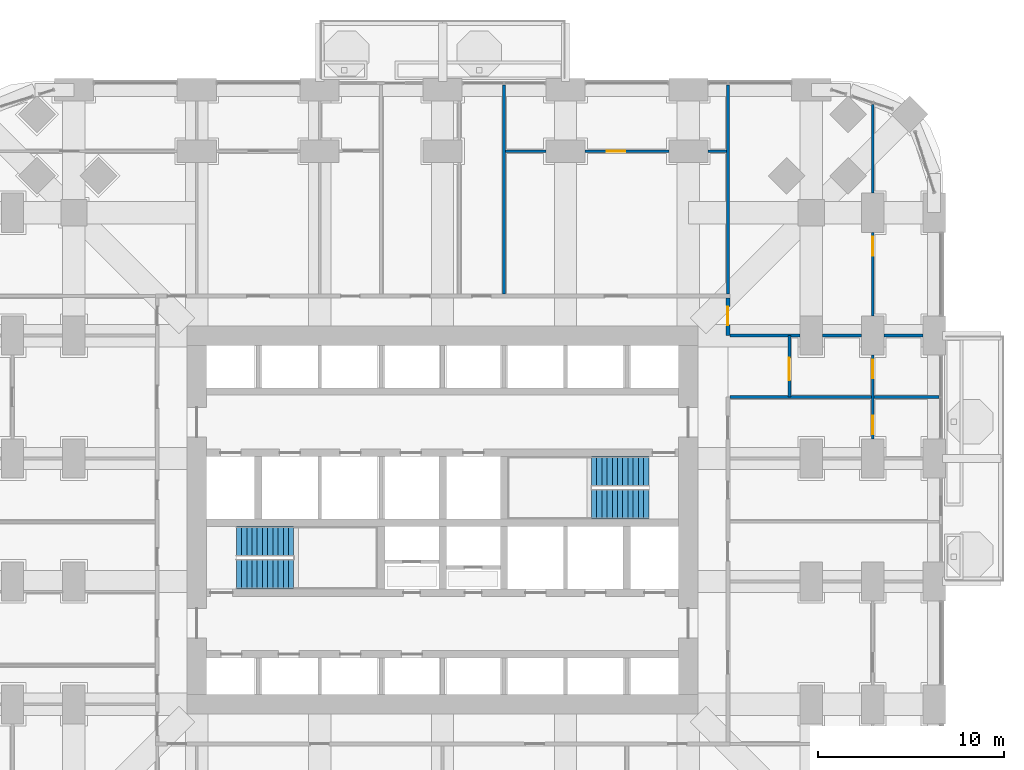
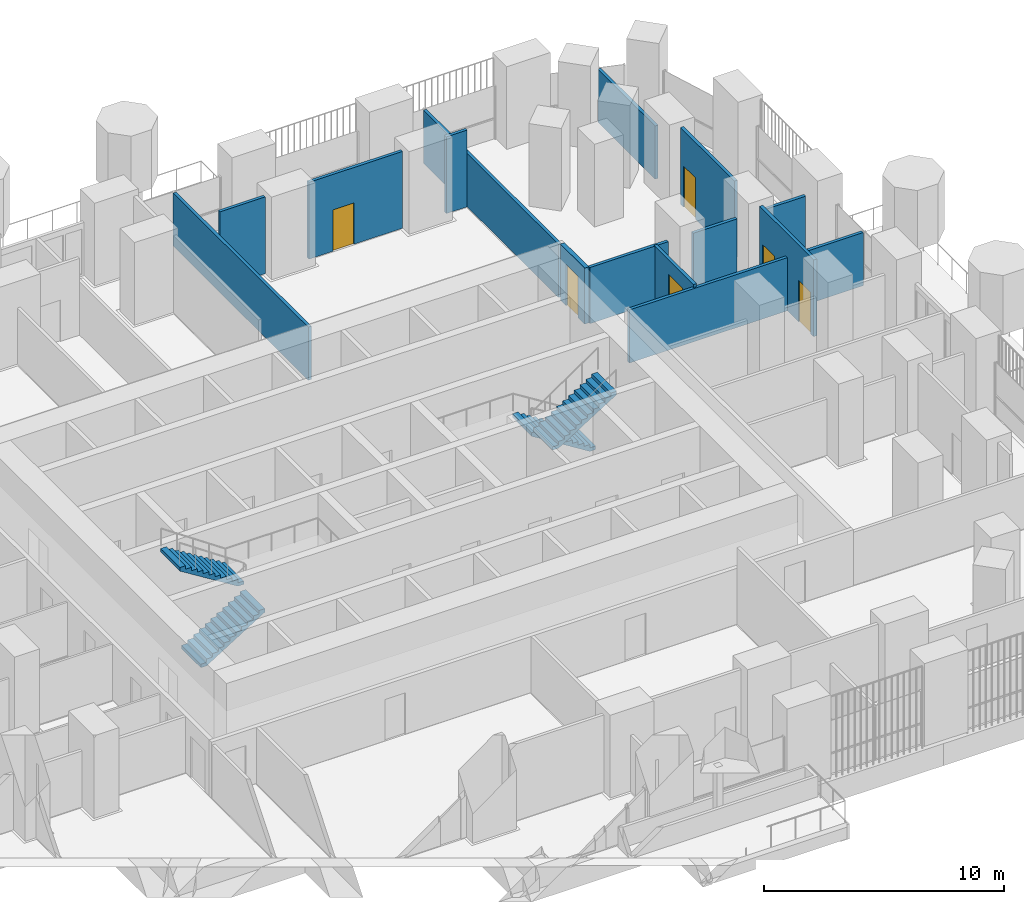
# One storey, part 21 of 26: 14 walls, 6 doors, 4 stair flights, 6 openings, 2 elements without a shape of their own.
"""IFC4 building model written with IfcOpenShell, lengths in metres."""

from ifc_helpers import new_model, si_unit, direction, frame, frame_2d, origin, place, context, subcontext, project, spatial, polyline, rectangle, outline, extrude, material, layer, layer_set, type_object, element, fill, aggregate, save


model = new_model("IFC4")

# Units and contexts
model_context = context("Model", 3, precision=1e-05, world=origin(), true_north=direction((0.0, 1.0)))
body_context = subcontext(model_context, "Body", "Model", "MODEL_VIEW")
ifc_project = project(units=[si_unit("LENGTHUNIT", "METRE"), si_unit("AREAUNIT", "SQUARE_METRE"), si_unit("VOLUMEUNIT", "CUBIC_METRE"), si_unit("PLANEANGLEUNIT", "RADIAN"), si_unit("MASSUNIT", "GRAM", prefix="KILO")], contexts=[model_context])

# Site, building, storey
site_placement = place(None, origin())
site = spatial("IfcSite", under=ifc_project, at=site_placement, CompositionType="ELEMENT")
building_placement = place(site_placement, origin())
building = spatial("IfcBuilding", under=site, at=building_placement, Name="Cobogo Forest Laboratory Tower", CompositionType="ELEMENT")
storey_placement = place(building_placement, frame((0.0, 0.0, 25.5)))
storey = spatial("IfcBuildingStorey", under=building, at=storey_placement, Name="L05", CompositionType="ELEMENT", Elevation=25.5)

# Wall
ifc_material_1 = material(Name="Gypsum board on steel studs", Category="steel")
ifc_layer_1 = layer(ifc_material_1, 0.14990234375)
ifc_layer_set_1 = layer_set([ifc_layer_1], Name="PT1 laboratory partition 150")
wall_type_1 = type_object("IfcWallType", Name="PT1 laboratory partition 150", PredefinedType="PARTITIONING", material=ifc_layer_set_1)
wall_1_placement = place(storey_placement, frame((41.72509765625, 46.469970703125, 0.0), z_axis=(0.0, 0.0, 1.0), x_axis=(0.0, -1.0, 0.0)))
element("IfcWall", 1, at=wall_1_placement, inside=storey, type_object=wall_type_1, Name="Partition PW-NE L05", PredefinedType="PARTITIONING", context=body_context, shape_type="SweptSolid", body=[
    extrude(rectangle(XDim=11.244873046875, YDim=0.14990234375, at=frame_2d((5.62255859375, 0.0))), origin(), (0.0, 0.0, 1.0), 2.699951171875),
])

# Wall, openings, doors
wall_2_placement = place(storey_placement, frame((49.5, 27.449951171875, 0.0), z_axis=(0.0, 0.0, 1.0), x_axis=(0.0, 1.0, 0.0)))
wall_2 = element("IfcWall", 2, at=wall_2_placement, inside=storey, type_object=wall_type_1, Name="Partition STRIP-E-3 L05", PredefinedType="PARTITIONING", context=body_context, shape_type="SweptSolid", body=[
    extrude(rectangle(XDim=4.5, YDim=0.14990234375, at=frame_2d((2.25, 0.0))), origin(), (0.0, 0.0, 1.0), 3.89990234375),
])
opening_1_placement = place(wall_2_placement, frame((0.25, 0.0, 0.0)))
opening_1 = element("IfcOpeningElement", 3, at=opening_1_placement, cuts=wall_2, Name="Opening L05-D30", PredefinedType="OPENING", context=body_context, shape_type="SweptSolid", body=[
    extrude(rectangle(XDim=1.0, YDim=2.10009765625, at=frame_2d((0.5, 1.050048828125))), frame((0.0, 0.0849609375, 0.0), z_axis=(0.0, -1.0, 0.0), x_axis=(1.0, 0.0, 0.0)), (0.0, 0.0, 1.0), 0.169921875),
])
opening_2_placement = place(wall_2_placement, frame((3.25, 0.0, 0.0)))
opening_2 = element("IfcOpeningElement", 4, at=opening_2_placement, cuts=wall_2, Name="Opening L05-D36", PredefinedType="OPENING", context=body_context, shape_type="SweptSolid", body=[
    extrude(rectangle(XDim=1.0, YDim=2.10009765625, at=frame_2d((0.5, 1.050048828125))), frame((0.0, 0.0849609375, 0.0), z_axis=(0.0, -1.0, 0.0), x_axis=(1.0, 0.0, 0.0)), (0.0, 0.0, 1.0), 0.169921875),
])
ifc_material_2 = material(Name="Timber fire door", Category="wood")
door_type_1 = type_object("IfcDoorType", Name="FD2 fire door 1000 EI2 30", OperationType="SINGLE_SWING_LEFT", PredefinedType="DOOR", material=ifc_material_2)
door_1_placement = place(opening_1_placement, origin())
door_1 = element("IfcDoor", 5, at=door_1_placement, inside=storey, type_object=door_type_1, Name="Door L05-E2W", OperationType="SINGLE_SWING_LEFT", OverallHeight=2.10009765625, OverallWidth=1.0, PredefinedType="DOOR", context=body_context, shape_type="SweptSolid", body=[
    extrude(rectangle(XDim=1.0, YDim=2.10009765625, at=frame_2d((0.5, 1.050048828125))), frame((0.0, 0.02490234375, 0.0), z_axis=(0.0, -1.0, 0.0), x_axis=(1.0, 0.0, 0.0)), (0.0, 0.0, 1.0), 0.050048828125),
])
fill(opening_1, door_1)
door_2_placement = place(opening_2_placement, origin())
door_2 = element("IfcDoor", 6, at=door_2_placement, inside=storey, type_object=door_type_1, Name="Door L05-E3W", OperationType="SINGLE_SWING_RIGHT", OverallHeight=2.10009765625, OverallWidth=1.0, PredefinedType="DOOR", context=body_context, shape_type="SweptSolid", body=[
    extrude(rectangle(XDim=1.0, YDim=2.10009765625, at=frame_2d((0.5, 1.050048828125))), frame((0.0, 0.02490234375, 0.0), z_axis=(0.0, -1.0, 0.0), x_axis=(1.0, 0.0, 0.0)), (0.0, 0.0, 1.0), 0.050048828125),
])
fill(opening_2, door_2)

# Wall, opening, door
wall_3_placement = place(storey_placement, frame((49.5, 34.050048828125, 0.0), z_axis=(0.0, 0.0, 1.0), x_axis=(0.0, 1.0, 0.0)))
wall_3 = element("IfcWall", 7, at=wall_3_placement, inside=storey, type_object=wall_type_1, Name="Partition STRIP-E-4 L05", PredefinedType="PARTITIONING", context=body_context, shape_type="SweptSolid", body=[
    extrude(rectangle(XDim=4.5, YDim=0.14990234375, at=frame_2d((2.25, 0.0))), origin(), (0.0, 0.0, 1.0), 3.89990234375),
])
opening_3_placement = place(wall_3_placement, frame((3.25, 0.0, 0.0)))
opening_3 = element("IfcOpeningElement", 8, at=opening_3_placement, cuts=wall_3, Name="Opening L05-D45", PredefinedType="OPENING", context=body_context, shape_type="SweptSolid", body=[
    extrude(rectangle(XDim=1.0, YDim=2.10009765625, at=frame_2d((0.5, 1.050048828125))), frame((0.0, 0.0849609375, 0.0), z_axis=(0.0, -1.0, 0.0), x_axis=(1.0, 0.0, 0.0)), (0.0, 0.0, 1.0), 0.169921875),
])
door_3_placement = place(opening_3_placement, origin())
door_3 = element("IfcDoor", 9, at=door_3_placement, inside=storey, type_object=door_type_1, Name="Door L05-E4W", OperationType="SINGLE_SWING_RIGHT", OverallHeight=2.10009765625, OverallWidth=1.0, PredefinedType="DOOR", context=body_context, shape_type="SweptSolid", body=[
    extrude(rectangle(XDim=1.0, YDim=2.10009765625, at=frame_2d((0.5, 1.050048828125))), frame((0.0, 0.02490234375, 0.0), z_axis=(0.0, -1.0, 0.0), x_axis=(1.0, 0.0, 0.0)), (0.0, 0.0, 1.0), 0.050048828125),
])
fill(opening_3, door_3)

# Wall
wall_4_placement = place(storey_placement, frame((49.5, 40.64990234375, 0.0), z_axis=(0.0, 0.0, 1.0), x_axis=(0.0, 1.0, 0.0)))
element("IfcWall", 10, at=wall_4_placement, inside=storey, type_object=wall_type_1, Name="Partition STRIP-E-5 L05", PredefinedType="PARTITIONING", context=body_context, shape_type="SweptSolid", body=[
    extrude(rectangle(XDim=4.774169921875, YDim=0.14990234375, at=frame_2d((2.38720703125, 0.0))), origin(), (0.0, 0.0, 1.0), 2.699951171875),
])

# Wall, opening, door
wall_5_placement = place(storey_placement, frame((45.02490234375, 29.699951171875, 0.0), z_axis=(0.0, 0.0, 1.0), x_axis=(0.0, 1.0, 0.0)))
wall_5 = element("IfcWall", 11, at=wall_5_placement, inside=storey, type_object=wall_type_1, Name="Partition NODE-E-1 L05", PredefinedType="PARTITIONING", context=body_context, shape_type="SweptSolid", body=[
    extrude(rectangle(XDim=3.300048828125, YDim=0.14990234375, at=frame_2d((1.64990234375, 0.0))), origin(), (0.0, 0.0, 1.0), 2.85009765625),
])
opening_4_placement = place(wall_5_placement, frame((0.89990234375, 0.0, 0.0)))
opening_4 = element("IfcOpeningElement", 12, at=opening_4_placement, cuts=wall_5, Name="Opening L05-D35", PredefinedType="OPENING", context=body_context, shape_type="SweptSolid", body=[
    extrude(rectangle(XDim=1.199951171875, YDim=2.10009765625, at=frame_2d((0.60009765625, 1.050048828125))), frame((0.0, 0.0849609375, 0.0), z_axis=(0.0, -1.0, 0.0), x_axis=(1.0, 0.0, 0.0)), (0.0, 0.0, 1.0), 0.169921875),
])
ifc_material_3 = material(Name="Timber door", Category="wood")
door_type_2 = type_object("IfcDoorType", Name="D2 laboratory door 1200 unequal pair", OperationType="DOUBLE_DOOR_SINGLE_SWING", PredefinedType="DOOR", material=ifc_material_3)
door_4_placement = place(opening_4_placement, origin())
door_4 = element("IfcDoor", 13, at=door_4_placement, inside=storey, type_object=door_type_2, Name="Door L05-E3", OperationType="DOUBLE_DOOR_SINGLE_SWING", OverallHeight=2.10009765625, OverallWidth=1.199951171875, PredefinedType="DOOR", context=body_context, shape_type="SweptSolid", body=[
    extrude(rectangle(XDim=1.199951171875, YDim=2.10009765625, at=frame_2d((0.60009765625, 1.050048828125))), frame((0.0, 0.02490234375, 0.0), z_axis=(0.0, -1.0, 0.0), x_axis=(1.0, 0.0, 0.0)), (0.0, 0.0, 1.0), 0.050048828125),
])
fill(opening_4, door_4)

# Walls
wall_6_placement = place(storey_placement, frame((53.070068359375, 29.699951171875, 0.0), z_axis=(0.0, 0.0, 1.0), x_axis=(-1.0, 0.0, 0.0)))
element("IfcWall", 14, at=wall_6_placement, inside=storey, type_object=wall_type_1, Name="Partition CUT-E29.7-1 L05", PredefinedType="PARTITIONING", context=body_context, shape_type="SweptSolid", body=[
    extrude(rectangle(XDim=11.2451171875, YDim=0.14990234375, at=frame_2d((5.62255859375, 0.0))), origin(), (0.0, 0.0, 1.0), 2.699951171875),
])
for number, where, z_axis, x_axis, name in (
    (15, (52.199951171875, 33.0, 0.0), (0.0, 0.0, 1.0), (-1.0, 0.0, 0.0), "Partition CUT-E33a-1 L05"),
    (16, (48.89990234375, 33.0, 0.0), (0.0, 0.0, 1.0), (-1.0, 0.0, 0.0), "Partition CUT-E33b-1 L05"),
):
    element("IfcWall", number, at=place(storey_placement, frame(where, z_axis=z_axis, x_axis=x_axis)), inside=storey, type_object=wall_type_1, Name=name, PredefinedType="PARTITIONING", context=body_context, shape_type="SweptSolid", body=[
        extrude(rectangle(XDim=2.099853515625, YDim=0.14990234375, at=frame_2d((1.0498046875, 0.0))), origin(), (0.0, 0.0, 1.0), 2.85009765625),
    ])
wall_7_placement = place(storey_placement, frame((45.60009765625, 33.0, 0.0), z_axis=(0.0, 0.0, 1.0), x_axis=(-1.0, 0.0, 0.0)))
element("IfcWall", 17, at=wall_7_placement, inside=storey, type_object=wall_type_1, Name="Partition CUT-E33b-2 L05", PredefinedType="PARTITIONING", context=body_context, shape_type="SweptSolid", body=[
    extrude(rectangle(XDim=3.775146484375, YDim=0.14990234375, at=frame_2d((1.8876953125, 0.0))), origin(), (0.0, 0.0, 1.0), 2.85009765625),
])
wall_8_placement = place(storey_placement, frame((41.64990234375, 42.89990234375, 0.0), z_axis=(0.0, 0.0, 1.0), x_axis=(-1.0, 0.0, 0.0)))
element("IfcWall", 18, at=wall_8_placement, inside=storey, type_object=wall_type_1, Name="Partition STRIP-N-1 L05", PredefinedType="PARTITIONING", context=body_context, shape_type="SweptSolid", body=[
    extrude(rectangle(XDim=1.0, YDim=0.14990234375, at=frame_2d((0.5, 0.0))), origin(), (0.0, 0.0, 1.0), 3.89990234375),
])

# Wall, opening, door
wall_9_placement = place(storey_placement, frame((38.550048828125, 42.89990234375, 0.0), z_axis=(0.0, 0.0, 1.0), x_axis=(-1.0, 0.0, 0.0)))
wall_9 = element("IfcWall", 19, at=wall_9_placement, inside=storey, type_object=wall_type_1, Name="Partition STRIP-N-2 L05", PredefinedType="PARTITIONING", context=body_context, shape_type="SweptSolid", body=[
    extrude(rectangle(XDim=4.5, YDim=0.14990234375, at=frame_2d((2.25, 0.0))), origin(), (0.0, 0.0, 1.0), 3.89990234375),
])
opening_5_placement = place(wall_9_placement, frame((2.33740234375, 0.0, 0.0)))
opening_5 = element("IfcOpeningElement", 20, at=opening_5_placement, cuts=wall_9, Name="Opening L05-D49", PredefinedType="OPENING", context=body_context, shape_type="SweptSolid", body=[
    extrude(rectangle(XDim=1.0, YDim=2.10009765625, at=frame_2d((0.5, 1.050048828125))), frame((0.0, 0.0849609375, 0.0), z_axis=(0.0, -1.0, 0.0), x_axis=(1.0, 0.0, 0.0)), (0.0, 0.0, 1.0), 0.169921875),
])
door_5_placement = place(opening_5_placement, origin())
door_5 = element("IfcDoor", 21, at=door_5_placement, inside=storey, type_object=door_type_1, Name="Door L05-N5W", OperationType="SINGLE_SWING_RIGHT", OverallHeight=2.10009765625, OverallWidth=1.0, PredefinedType="DOOR", context=body_context, shape_type="SweptSolid", body=[
    extrude(rectangle(XDim=1.0, YDim=2.10009765625, at=frame_2d((0.5, 1.050048828125))), frame((0.0, 0.02490234375, 0.0), z_axis=(0.0, -1.0, 0.0), x_axis=(1.0, 0.0, 0.0)), (0.0, 0.0, 1.0), 0.050048828125),
])
fill(opening_5, door_5)

# Walls
wall_10_placement = place(storey_placement, frame((31.949951171875, 42.89990234375, 0.0), z_axis=(0.0, 0.0, 1.0), x_axis=(-1.0, 0.0, 0.0)))
element("IfcWall", 22, at=wall_10_placement, inside=storey, type_object=wall_type_1, Name="Partition STRIP-N-3 L05", PredefinedType="PARTITIONING", context=body_context, shape_type="SweptSolid", body=[
    extrude(rectangle(XDim=2.175048828125, YDim=0.14990234375, at=frame_2d((1.08740234375, 0.0))), origin(), (0.0, 0.0, 1.0), 3.89990234375),
])
wall_11_placement = place(storey_placement, frame((29.699951171875, 46.469970703125, 0.0), z_axis=(0.0, 0.0, 1.0), x_axis=(0.0, -1.0, 0.0)))
element("IfcWall", 23, at=wall_11_placement, inside=storey, type_object=wall_type_1, Name="Partition CUT-N29.7-1 L05", PredefinedType="PARTITIONING", context=body_context, shape_type="SweptSolid", body=[
    extrude(rectangle(XDim=11.244873046875, YDim=0.14990234375, at=frame_2d((5.62255859375, 0.0))), origin(), (0.0, 0.0, 1.0), 2.699951171875),
])

# Wall, opening, door
ifc_layer_2 = layer(ifc_material_1, 0.199951171875)
ifc_layer_set_2 = layer_set([ifc_layer_2], Name="PT2 fire-rated corridor partition 200")
wall_type_2 = type_object("IfcWallType", Name="PT2 fire-rated corridor partition 200", PredefinedType="PARTITIONING", material=ifc_layer_set_2)
wall_12_placement = place(storey_placement, frame((41.72509765625, 33.0, 0.0), z_axis=(0.0, 0.0, 1.0), x_axis=(0.0, 1.0, 0.0)))
wall_12 = element("IfcWall", 24, at=wall_12_placement, inside=storey, type_object=wall_type_2, Name="Partition CORR-E-2 L05", PredefinedType="PARTITIONING", context=body_context, shape_type="SweptSolid", body=[
    extrude(rectangle(XDim=2.02490234375, YDim=0.199951171875, at=frame_2d((1.012451171875, 0.0))), origin(), (0.0, 0.0, 1.0), 2.85009765625),
])
opening_6_placement = place(wall_12_placement, frame((0.5625, 0.0, 0.0)))
opening_6 = element("IfcOpeningElement", 25, at=opening_6_placement, cuts=wall_12, Name="Opening L05-D38", PredefinedType="OPENING", context=body_context, shape_type="SweptSolid", body=[
    extrude(rectangle(XDim=1.0, YDim=2.10009765625, at=frame_2d((0.5, 1.050048828125))), frame((0.0, 0.10986328125, 0.0), z_axis=(0.0, -1.0, 0.0), x_axis=(1.0, 0.0, 0.0)), (0.0, 0.0, 1.0), 0.219970703125),
])
ifc_material_4 = material(Name="Steel fire door", Category="steel")
door_type_3 = type_object("IfcDoorType", Name="FD1 fire door 1000 EI2 60", OperationType="SINGLE_SWING_LEFT", PredefinedType="DOOR", material=ifc_material_4)
door_6_placement = place(opening_6_placement, origin())
door_6 = element("IfcDoor", 26, at=door_6_placement, inside=storey, type_object=door_type_3, Name="Door L05-E4", OperationType="SINGLE_SWING_RIGHT", OverallHeight=2.10009765625, OverallWidth=1.0, PredefinedType="DOOR", context=body_context, shape_type="SweptSolid", body=[
    extrude(rectangle(XDim=1.0, YDim=2.10009765625, at=frame_2d((0.5, 1.050048828125))), frame((0.0, 0.02490234375, 0.0), z_axis=(0.0, -1.0, 0.0), x_axis=(1.0, 0.0, 0.0)), (0.0, 0.0, 1.0), 0.050048828125),
])
fill(opening_6, door_6)

# Stair, stair flights
ifc_material_5 = material(Name="Precast concrete HA-40 (C40/50)", Category="concrete")
stair_type = type_object("IfcStairType", Name="ST24 exit stair 24 risers", PredefinedType="HALF_TURN_STAIR", material=ifc_material_5)
stair_1_placement = place(storey_placement, origin())
stair_1 = element("IfcStair", 27, at=stair_1_placement, inside=storey, type_object=stair_type, Name="Stair 1 L05 to L06", PredefinedType="HALF_TURN_STAIR")
stair_flight_type = type_object("IfcStairFlightType", Name="ST stair flight 280 going", PredefinedType="STRAIGHT", material=ifc_material_5)
stair_flight_1_placement = place(storey_placement, frame((15.324951171875, 20.199951171875, 0.0), z_axis=(0.0, 0.0, 1.0), x_axis=(1.0, 0.0, 0.0)))
stair_flight_1 = element("IfcStairFlight", 28, at=stair_flight_1_placement, type_object=stair_flight_type, Name="ST1 flight 1", NumberOfRisers=12, NumberOfTreads=11, PredefinedType="STRAIGHT", RiserHeight=0.175, TreadLength=0.28, context=body_context, shape_type="SweptSolid", body=[
    extrude(outline(polyline([(0.0, 0.0), (0.0, 0.175048828125), (0.280029296875, 0.175048828125), (0.280029296875, 0.35009765625), (0.56005859375, 0.35009765625), (0.56005859375, 0.52490234375), (0.840087890625, 0.52490234375), (0.840087890625, 0.699951171875), (1.1201171875, 0.699951171875), (1.1201171875, 0.875), (1.39990234375, 0.875), (1.39990234375, 1.050048828125), (1.679931640625, 1.050048828125), (1.679931640625, 1.22509765625), (1.9599609375, 1.22509765625), (1.9599609375, 1.39990234375), (2.239990234375, 1.39990234375), (2.239990234375, 1.574951171875), (2.52001953125, 1.574951171875), (2.52001953125, 1.75), (2.800048828125, 1.75), (2.800048828125, 1.925048828125), (3.080078125, 1.925048828125), (3.080078125, 2.10009765625), (3.080078125, 1.748291015625), (0.28271484375, 0.0), (0.0, 0.0)])), frame((0.0, 0.800048828125, 0.0), z_axis=(0.0, -1.0, 0.0), x_axis=(1.0, 0.0, 0.0)), (0.0, 0.0, 1.0), 1.60009765625),
])
stair_flight_2_placement = place(storey_placement, frame((18.405029296875, 21.949951171875, 2.10009765625), z_axis=(0.0, 0.0, 1.0), x_axis=(-1.0, 0.0, 0.0)))
stair_flight_2 = element("IfcStairFlight", 29, at=stair_flight_2_placement, type_object=stair_flight_type, Name="ST1 flight 2", NumberOfRisers=12, NumberOfTreads=11, PredefinedType="STRAIGHT", RiserHeight=0.175, TreadLength=0.28, context=body_context, shape_type="SweptSolid", body=[
    extrude(outline(polyline([(0.0, 0.0), (0.0, 0.175048828125), (0.280029296875, 0.175048828125), (0.280029296875, 0.35009765625), (0.56005859375, 0.35009765625), (0.56005859375, 0.52490234375), (0.840087890625, 0.52490234375), (0.840087890625, 0.699951171875), (1.1201171875, 0.699951171875), (1.1201171875, 0.875), (1.39990234375, 0.875), (1.39990234375, 1.050048828125), (1.679931640625, 1.050048828125), (1.679931640625, 1.22509765625), (1.9599609375, 1.22509765625), (1.9599609375, 1.39990234375), (2.239990234375, 1.39990234375), (2.239990234375, 1.574951171875), (2.52001953125, 1.574951171875), (2.52001953125, 1.75), (2.800048828125, 1.75), (2.800048828125, 1.925048828125), (3.080078125, 1.925048828125), (3.080078125, 2.10009765625), (3.080078125, 1.748291015625), (0.28271484375, 0.0), (0.0, 0.0)])), frame((0.0, 0.800048828125, 0.0), z_axis=(0.0, -1.0, 0.0), x_axis=(1.0, 0.0, 0.0)), (0.0, 0.0, 1.0), 1.60009765625),
])
aggregate(stair_1, [stair_flight_1, stair_flight_2])

stair_2_placement = place(storey_placement, origin())
stair_2 = element("IfcStair", 30, at=stair_2_placement, inside=storey, type_object=stair_type, Name="Stair 2 L05 to L06", PredefinedType="HALF_TURN_STAIR")
stair_flight_3_placement = place(storey_placement, frame((37.47509765625, 25.699951171875, 0.0), z_axis=(0.0, 0.0, 1.0), x_axis=(-1.0, 0.0, 0.0)))
stair_flight_3 = element("IfcStairFlight", 31, at=stair_flight_3_placement, type_object=stair_flight_type, Name="ST2 flight 1", NumberOfRisers=12, NumberOfTreads=11, PredefinedType="STRAIGHT", RiserHeight=0.175, TreadLength=0.28, context=body_context, shape_type="SweptSolid", body=[
    extrude(outline(polyline([(0.0, 0.0), (0.0, 0.175048828125), (0.280029296875, 0.175048828125), (0.280029296875, 0.35009765625), (0.56005859375, 0.35009765625), (0.56005859375, 0.52490234375), (0.840087890625, 0.52490234375), (0.840087890625, 0.699951171875), (1.1201171875, 0.699951171875), (1.1201171875, 0.875), (1.39990234375, 0.875), (1.39990234375, 1.050048828125), (1.679931640625, 1.050048828125), (1.679931640625, 1.22509765625), (1.9599609375, 1.22509765625), (1.9599609375, 1.39990234375), (2.239990234375, 1.39990234375), (2.239990234375, 1.574951171875), (2.52001953125, 1.574951171875), (2.52001953125, 1.75), (2.800048828125, 1.75), (2.800048828125, 1.925048828125), (3.080078125, 1.925048828125), (3.080078125, 2.10009765625), (3.080078125, 1.748291015625), (0.28271484375, 0.0), (0.0, 0.0)])), frame((0.0, 0.800048828125, 0.0), z_axis=(0.0, -1.0, 0.0), x_axis=(1.0, 0.0, 0.0)), (0.0, 0.0, 1.0), 1.60009765625),
])
stair_flight_4_placement = place(storey_placement, frame((34.39501953125, 23.949951171875, 2.10009765625), z_axis=(0.0, 0.0, 1.0), x_axis=(1.0, 0.0, 0.0)))
stair_flight_4 = element("IfcStairFlight", 32, at=stair_flight_4_placement, type_object=stair_flight_type, Name="ST2 flight 2", NumberOfRisers=12, NumberOfTreads=11, PredefinedType="STRAIGHT", RiserHeight=0.175, TreadLength=0.28, context=body_context, shape_type="SweptSolid", body=[
    extrude(outline(polyline([(0.0, 0.0), (0.0, 0.175048828125), (0.280029296875, 0.175048828125), (0.280029296875, 0.35009765625), (0.56005859375, 0.35009765625), (0.56005859375, 0.52490234375), (0.840087890625, 0.52490234375), (0.840087890625, 0.699951171875), (1.1201171875, 0.699951171875), (1.1201171875, 0.875), (1.39990234375, 0.875), (1.39990234375, 1.050048828125), (1.679931640625, 1.050048828125), (1.679931640625, 1.22509765625), (1.9599609375, 1.22509765625), (1.9599609375, 1.39990234375), (2.239990234375, 1.39990234375), (2.239990234375, 1.574951171875), (2.52001953125, 1.574951171875), (2.52001953125, 1.75), (2.800048828125, 1.75), (2.800048828125, 1.925048828125), (3.080078125, 1.925048828125), (3.080078125, 2.10009765625), (3.080078125, 1.748291015625), (0.28271484375, 0.0), (0.0, 0.0)])), frame((0.0, 0.800048828125, 0.0), z_axis=(0.0, -1.0, 0.0), x_axis=(1.0, 0.0, 0.0)), (0.0, 0.0, 1.0), 1.60009765625),
])
aggregate(stair_2, [stair_flight_3, stair_flight_4])

save(model, "model.ifc")
